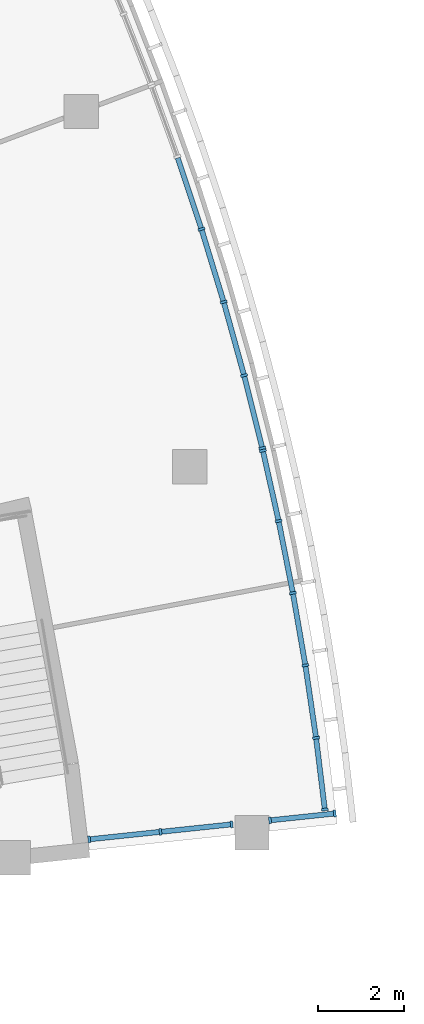
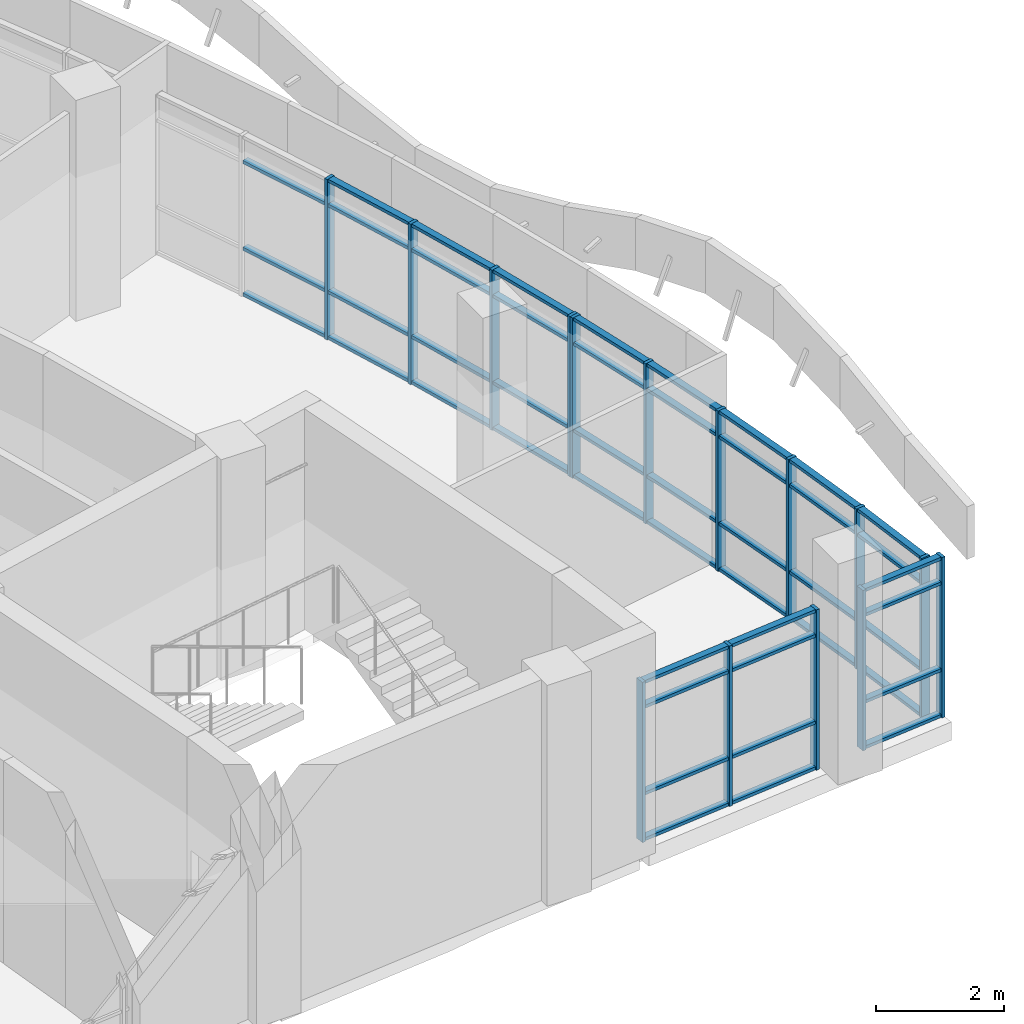
# One storey, part 27 of 109: 62 members, 4 elements without a shape of their own.
"""IFC4 building model written with IfcOpenShell, lengths in metres."""

import ifcopenshell
import ifcopenshell.guid

model = None  # the IFC model being written
_history = None  # IfcOwnerHistory: only IFC2X3 demands one
_inside = {}  # id of a spatial element -> (the spatial element, [elements in it])
_under = {}  # id of a project, library or spatial element -> (it, [spatial elements below it])
_declared = {}  # id of a project -> (the project, [libraries it declares])
_typed = {}  # id of a type object -> (the type object, [elements of that type])
_made_of = {}  # id of a material, layer set ... -> (it, [elements and type objects made of it])


def new_model(schema):
    """Start an empty IFC model of exactly this schema.

    Asked for "IFC4X3", IfcOpenShell would pick the latest addendum, in which some entities
    have other attributes; the version numbers below select the first issue.
    IFC2X3 requires an IfcOwnerHistory on every rooted entity: one is made here for all.
    """
    global model, _history
    if schema == "IFC4X3":
        model = ifcopenshell.file(schema_version=(4, 3, 0, 0))
    else:
        model = ifcopenshell.file(schema=schema)
    _inside.clear()
    _under.clear()
    _declared.clear()
    _typed.clear()
    _made_of.clear()
    _history = None
    if model.schema == "IFC2X3":
        org = make("IfcOrganization", Name="unknown")
        user = make(
            "IfcPersonAndOrganization",
            ThePerson=make("IfcPerson", FamilyName="unknown"),
            TheOrganization=org,
        )
        app = make(
            "IfcApplication",
            ApplicationDeveloper=org,
            Version="unknown",
            ApplicationFullName="unknown",
            ApplicationIdentifier="unknown",
        )
        _history = make(
            "IfcOwnerHistory",
            OwningUser=user,
            OwningApplication=app,
            ChangeAction="ADDED",
            CreationDate=0,
        )
    return model


def make(cls, **values):
    """One entity of the class cls with the attributes given. An attribute that is None is left unset."""
    return model.create_entity(
        cls, **{name: value for name, value in values.items() if value is not None}
    )


def rooted(cls, **values):
    """An entity with a GlobalId (a new one), such as an element, a storey or a relation."""
    return make(cls, GlobalId=ifcopenshell.guid.new(), OwnerHistory=_history, **values)


def si_unit(unit_type, name, prefix=None):
    """IfcSIUnit, for example si_unit("LENGTHUNIT", "METRE", prefix="MILLI")."""
    return make("IfcSIUnit", UnitType=unit_type, Prefix=prefix, Name=name)


def assignment(units):
    """IfcUnitAssignment: the units of a project."""
    return None if units is None else make("IfcUnitAssignment", Units=units)


def point(xyz):
    """IfcCartesianPoint."""
    return None if xyz is None else make("IfcCartesianPoint", Coordinates=xyz)


def direction(xyz):
    """IfcDirection."""
    return None if xyz is None else make("IfcDirection", DirectionRatios=xyz)


def frame(location, z_axis=None, x_axis=None):
    """IfcAxis2Placement3D, a coordinate frame: its origin and axes. An axis left out is left unset."""
    return make(
        "IfcAxis2Placement3D",
        Location=point(location),
        Axis=direction(z_axis),
        RefDirection=direction(x_axis),
    )


def frame_2d(location, x_axis=None):
    """IfcAxis2Placement2D, a coordinate frame in the plane: its origin and x axis."""
    return make(
        "IfcAxis2Placement2D", Location=point(location), RefDirection=direction(x_axis)
    )


def origin():
    """The frame at (0, 0, 0) with its axes left unset."""
    return frame((0.0, 0.0, 0.0))


def origin_2d():
    """The frame at (0, 0) in the plane with its x axis left unset."""
    return frame_2d((0.0, 0.0))


def place(relative_to, where):
    """IfcLocalPlacement: puts the frame where relative to a parent placement (None: the world)."""
    return make(
        "IfcLocalPlacement", PlacementRelTo=relative_to, RelativePlacement=where
    )


def context(
    kind, dimensions, precision=None, world=None, true_north=None, identifier=None
):
    """IfcGeometricRepresentationContext, for example the 3D "Model" context."""
    return make(
        "IfcGeometricRepresentationContext",
        ContextIdentifier=identifier,
        ContextType=kind,
        CoordinateSpaceDimension=dimensions,
        Precision=precision,
        WorldCoordinateSystem=world,
        TrueNorth=true_north,
    )


def subcontext(parent, identifier, kind, view, scale=None):
    """IfcGeometricRepresentationSubContext, for example "Body" below "Model"."""
    return make(
        "IfcGeometricRepresentationSubContext",
        ContextIdentifier=identifier,
        ContextType=kind,
        ParentContext=parent,
        TargetScale=scale,
        TargetView=view,
    )


def project(units=None, contexts=None):
    """IfcProject with its units and contexts."""
    return rooted(
        "IfcProject",
        Name="project",
        RepresentationContexts=contexts,
        UnitsInContext=assignment(units),
    )


def spatial(cls, under=None, at=None, **own):
    """A site, building, storey or space (cls), placed at a placement, below another one or the project."""
    s = rooted(cls, ObjectPlacement=at, **own)
    if under is not None:
        _under.setdefault(under.id(), (under, []))[1].append(s)
    return s


def profile(cls, at=None, kind="AREA", **sizes):
    """A parametric profile (cls). Its sizes go by their IFC names, for example OverallWidth=200.0."""
    return make(cls, ProfileType=kind, Position=at, **sizes)


def rectangle(**sizes):
    """IfcRectangleProfileDef."""
    return profile("IfcRectangleProfileDef", **sizes)


def extrude(swept, where, along, depth):
    """IfcExtrudedAreaSolid: the profile swept, set in the frame where, extruded along a direction by depth."""
    return make(
        "IfcExtrudedAreaSolid",
        SweptArea=swept,
        Position=where,
        ExtrudedDirection=direction(along),
        Depth=depth,
    )


def shape(context_of_items, identifier, shape_type, items):
    """IfcShapeRepresentation: the items that make up one representation, for example the "Body"."""
    return make(
        "IfcShapeRepresentation",
        ContextOfItems=context_of_items,
        RepresentationIdentifier=identifier,
        RepresentationType=shape_type,
        Items=items,
    )


def material(Name=None, Category=None):
    """IfcMaterial."""
    return make("IfcMaterial", Name=Name, Category=Category)


def material_profile(
    of_material, cross_section, Name=None, Category=None, Priority=None
):
    """IfcMaterialProfile: a cross section and its material."""
    return make(
        "IfcMaterialProfile",
        Name=Name,
        Material=of_material,
        Profile=cross_section,
        Priority=Priority,
        Category=Category,
    )


def profile_set(profiles, Name=None, composite=None):
    """IfcMaterialProfileSet."""
    return make(
        "IfcMaterialProfileSet",
        Name=Name,
        MaterialProfiles=profiles,
        CompositeProfile=composite,
    )


def made_of(thing, what):
    """Note that an element or type object is made of a material, layer set ...; save() writes the relation."""
    if what is not None:
        _made_of.setdefault(what.id(), (what, []))[1].append(thing)
    return thing


def type_object(cls, material=None, **own):
    """A type object (cls), such as IfcWallType, which elements share."""
    return made_of(rooted(cls, **own), material)


def element(
    cls,
    number,
    at=None,
    inside=None,
    cuts=None,
    type_object=None,
    material=None,
    context=None,
    identifier="Body",
    shape_type=None,
    held_by="IfcProductDefinitionShape",
    body=None,
    shapes=None,
    **own,
):
    """One element of the class cls, such as IfcWall. Its Tag is "e" and its number.

    at: its placement. inside: the storey or other place that contains it. cuts: it is an
    opening in that element (IfcRelVoidsElement). A single representation is given by context,
    identifier, shape_type and body (its items); several are given by shapes. held_by: the class
    of the entity that holds the representations. save() writes the other relations.
    """
    e = rooted(cls, Tag="e%d" % number, ObjectPlacement=at, **own)
    if body is not None:
        shapes = [shape(context, identifier, shape_type, body)]
    if shapes is not None:
        e.Representation = make(held_by, Representations=shapes)
    if inside is not None:
        _inside.setdefault(inside.id(), (inside, []))[1].append(e)
    if cuts is not None:
        rooted(
            "IfcRelVoidsElement", RelatingBuildingElement=cuts, RelatedOpeningElement=e
        )
    if type_object is not None:
        _typed.setdefault(type_object.id(), (type_object, []))[1].append(e)
    return made_of(e, material)


def aggregate(whole, parts):
    """IfcRelAggregates: a whole, such as a stair, and the parts it consists of."""
    return rooted("IfcRelAggregates", RelatingObject=whole, RelatedObjects=parts)


def save(model, path):
    """Write the relations noted so far, then the file.

    IfcRelAggregates (storeys below a building ...), IfcRelContainedInSpatialStructure (elements
    in a storey), IfcRelDefinesByType, IfcRelAssociatesMaterial and IfcRelDeclares: one each for
    every whole, place, type object, material and project.
    """
    for whole, parts in _under.values():
        aggregate(whole, parts)
    for where, things in _inside.values():
        rooted(
            "IfcRelContainedInSpatialStructure",
            RelatedElements=things,
            RelatingStructure=where,
        )
    for kind, things in _typed.values():
        rooted("IfcRelDefinesByType", RelatedObjects=things, RelatingType=kind)
    for what, things in _made_of.values():
        rooted("IfcRelAssociatesMaterial", RelatedObjects=things, RelatingMaterial=what)
    for by, libraries in _declared.values():
        rooted("IfcRelDeclares", RelatingContext=by, RelatedDefinitions=libraries)
    model.write(path)


model = new_model("IFC4")

# Units and contexts
model_context = context("Model", 3, precision=1e-05, world=origin(), true_north=direction((0.0, 1.0)))
body_context = subcontext(model_context, "Body", "Model", "MODEL_VIEW")
ifc_project = project(units=[si_unit("LENGTHUNIT", "METRE"), si_unit("AREAUNIT", "SQUARE_METRE"), si_unit("VOLUMEUNIT", "CUBIC_METRE"), si_unit("PLANEANGLEUNIT", "RADIAN"), si_unit("MASSUNIT", "GRAM", prefix="KILO")], contexts=[model_context])

# Site, building, storey
site_placement = place(None, origin())
site = spatial("IfcSite", under=ifc_project, at=site_placement, CompositionType="ELEMENT")
building_placement = place(site_placement, origin())
building = spatial("IfcBuilding", under=site, at=building_placement, Name="Bougainvillea Quay General Hospital", CompositionType="ELEMENT")
storey_placement = place(building_placement, frame((0.0, 0.0, 12.60009765625)))
storey = spatial("IfcBuildingStorey", under=building, at=storey_placement, Name="L02", CompositionType="ELEMENT", Elevation=12.60009765625)

# Curtain wall, members
ifc_material_1 = material(Name="Aluminium curtain wall system, powder-coated glazed", Category="aluminium")
curtain_wall_type_1 = type_object("IfcCurtainWallType", Name="Unitised curtain wall CW-1703", PredefinedType="NOTDEFINED", material=ifc_material_1)
curtain_wall_1_placement = place(storey_placement, origin())
curtain_wall_1 = element("IfcCurtainWall", 1, at=curtain_wall_1_placement, inside=storey, type_object=curtain_wall_type_1, Name="CW-AE 04", PredefinedType="NOTDEFINED")
ifc_material_2 = material(Name="Aluminium mullion, powder-coated charcoal", Category="aluminium")
ifc_material_profile_1 = material_profile(ifc_material_2, rectangle(XDim=0.159912109375, YDim=0.06005859375, at=origin_2d()))
ifc_profile_set_1 = profile_set([ifc_material_profile_1], Name="Aluminium mullion, powder-coated charcoal")
member_type_1 = type_object("IfcMemberType", Name="Curtain wall mullion 160x60", PredefinedType="MULLION", material=ifc_profile_set_1)
member_1_placement = place(storey_placement, frame((173.027099609375, 28.9599609375, 0.0), z_axis=(0.0, 0.0, 1.0), x_axis=(-0.104527173765, 0.9945220309, 0.0)))
member_1 = element("IfcMember", 2, at=member_1_placement, type_object=member_type_1, Name="CW-AE mullion 1", PredefinedType="MULLION", context=body_context, shape_type="SweptSolid", body=[
    extrude(rectangle(XDim=0.159912109375, YDim=0.06005859375, at=origin_2d()), origin(), (0.0, 0.0, 1.0), 3.0498046875),
])
member_2_placement = place(storey_placement, frame((174.6904296875, 29.134765625, 0.0), z_axis=(0.0, 0.0, 1.0), x_axis=(-0.104527173765, 0.9945220309, 0.0)))
member_2 = element("IfcMember", 3, at=member_2_placement, type_object=member_type_1, Name="CW-AE mullion 2", PredefinedType="MULLION", context=body_context, shape_type="SweptSolid", body=[
    extrude(rectangle(XDim=0.159912109375, YDim=0.06005859375, at=origin_2d()), origin(), (0.0, 0.0, 1.0), 3.0498046875),
])
member_3_placement = place(storey_placement, frame((176.353759765625, 29.3095703125, 0.0), z_axis=(0.0, 0.0, 1.0), x_axis=(-0.104527173765, 0.9945220309, 0.0)))
member_3 = element("IfcMember", 4, at=member_3_placement, type_object=member_type_1, Name="CW-AE mullion 3", PredefinedType="MULLION", context=body_context, shape_type="SweptSolid", body=[
    extrude(rectangle(XDim=0.159912109375, YDim=0.06005859375, at=origin_2d()), origin(), (0.0, 0.0, 1.0), 3.0498046875),
])

curtain_wall_type_2 = type_object("IfcCurtainWallType", Name="Unitised curtain wall CW-1581", PredefinedType="NOTDEFINED", material=ifc_material_1)
curtain_wall_2_placement = place(storey_placement, origin())
curtain_wall_2 = element("IfcCurtainWall", 5, at=curtain_wall_2_placement, inside=storey, type_object=curtain_wall_type_2, Name="CW-AE 05", PredefinedType="NOTDEFINED")
member_4_placement = place(storey_placement, frame((177.2490234375, 29.403564453125, 0.0), z_axis=(0.0, 0.0, 1.0), x_axis=(-0.104527173765, 0.9945220309, 0.0)))
member_4 = element("IfcMember", 6, at=member_4_placement, type_object=member_type_1, Name="CW-AE mullion 1", PredefinedType="MULLION", context=body_context, shape_type="SweptSolid", body=[
    extrude(rectangle(XDim=0.159912109375, YDim=0.06005859375, at=origin_2d()), origin(), (0.0, 0.0, 1.0), 3.0498046875),
])
member_5_placement = place(storey_placement, frame((178.760986328125, 29.5625, 0.0), z_axis=(0.0, 0.0, 1.0), x_axis=(-0.104527173765, 0.9945220309, 0.0)))
member_5 = element("IfcMember", 7, at=member_5_placement, type_object=member_type_1, Name="CW-AE mullion 2", PredefinedType="MULLION", context=body_context, shape_type="SweptSolid", body=[
    extrude(rectangle(XDim=0.159912109375, YDim=0.06005859375, at=origin_2d()), origin(), (0.0, 0.0, 1.0), 3.0498046875),
])

curtain_wall_type_3 = type_object("IfcCurtainWallType", Name="Unitised curtain wall CW-2100", PredefinedType="NOTDEFINED", material=ifc_material_1)
curtain_wall_3_placement = place(storey_placement, origin())
curtain_wall_3 = element("IfcCurtainWall", 8, at=curtain_wall_3_placement, inside=storey, type_object=curtain_wall_type_3, Name="CW-E07 a23b6", PredefinedType="NOTDEFINED")
member_6_placement = place(storey_placement, frame((175.6474609375, 43.210205078125, 0.0), z_axis=(0.0, 0.0, 1.0), x_axis=(0.952644499358, 0.304086267106, 0.0)))
member_6 = element("IfcMember", 9, at=member_6_placement, type_object=member_type_1, Name="CW-E07 mullion 3", PredefinedType="MULLION", context=body_context, shape_type="SweptSolid", body=[
    extrude(rectangle(XDim=0.159912109375, YDim=0.06005859375, at=origin_2d()), origin(), (0.0, 0.0, 1.0), 3.0498046875),
])
member_7_placement = place(storey_placement, frame((176.1669921875, 41.507568359375, 0.0), z_axis=(0.0, 0.0, 1.0), x_axis=(0.960094774236, 0.27967485494, 0.0)))
member_7 = element("IfcMember", 10, at=member_7_placement, type_object=member_type_1, Name="CW-E07 mullion 4", PredefinedType="MULLION", context=body_context, shape_type="SweptSolid", body=[
    extrude(rectangle(XDim=0.159912109375, YDim=0.06005859375, at=origin_2d()), origin(), (0.0, 0.0, 1.0), 3.0498046875),
])
member_8_placement = place(storey_placement, frame((176.64306640625, 39.7919921875, 0.0), z_axis=(0.0, 0.0, 1.0), x_axis=(0.966919620681, 0.255081255962, 0.0)))
member_8 = element("IfcMember", 11, at=member_8_placement, type_object=member_type_1, Name="CW-E07 mullion 5", PredefinedType="MULLION", context=body_context, shape_type="SweptSolid", body=[
    extrude(rectangle(XDim=0.159912109375, YDim=0.06005859375, at=origin_2d()), origin(), (0.0, 0.0, 1.0), 3.0498046875),
])
member_9_placement = place(storey_placement, frame((177.06787109375, 38.09423828125, 0.0), z_axis=(0.0, 0.0, 1.0), x_axis=(0.970096102912, 0.242721138583, 0.0)))
member_9 = element("IfcMember", 12, at=member_9_placement, type_object=member_type_1, Name="CW-E07 mullion 6", PredefinedType="MULLION", context=body_context, shape_type="SweptSolid", body=[
    extrude(rectangle(XDim=0.159912109375, YDim=0.06005859375, at=origin_2d()), origin(), (0.0, 0.0, 1.0), 3.0498046875),
])

curtain_wall_4_placement = place(storey_placement, origin())
curtain_wall_4 = element("IfcCurtainWall", 13, at=curtain_wall_4_placement, inside=storey, type_object=curtain_wall_type_3, Name="CW-E08 a23b7", PredefinedType="NOTDEFINED")
member_10_placement = place(storey_placement, frame((177.081787109375, 38.03564453125, 0.0), z_axis=(0.0, 0.0, 1.0), x_axis=(0.97587019217, 0.218351478204, 0.0)))
member_10 = element("IfcMember", 14, at=member_10_placement, type_object=member_type_1, Name="CW-E08 mullion 1", PredefinedType="MULLION", context=body_context, shape_type="SweptSolid", body=[
    extrude(rectangle(XDim=0.159912109375, YDim=0.06005859375, at=origin_2d()), origin(), (0.0, 0.0, 1.0), 3.0498046875),
])
member_11_placement = place(storey_placement, frame((177.44921875, 36.392822265625, 0.0), z_axis=(0.0, 0.0, 1.0), x_axis=(0.978478557556, 0.206348521691, 0.0)))
member_11 = element("IfcMember", 15, at=member_11_placement, type_object=member_type_1, Name="CW-E08 mullion 2", PredefinedType="MULLION", context=body_context, shape_type="SweptSolid", body=[
    extrude(rectangle(XDim=0.159912109375, YDim=0.06005859375, at=origin_2d()), origin(), (0.0, 0.0, 1.0), 3.0498046875),
])
member_12_placement = place(storey_placement, frame((177.7822265625, 34.712158203125, 0.0), z_axis=(0.0, 0.0, 1.0), x_axis=(0.983252034569, 0.182251026106, 0.0)))
member_12 = element("IfcMember", 16, at=member_12_placement, type_object=member_type_1, Name="CW-E08 mullion 3", PredefinedType="MULLION", context=body_context, shape_type="SweptSolid", body=[
    extrude(rectangle(XDim=0.159912109375, YDim=0.06005859375, at=origin_2d()), origin(), (0.0, 0.0, 1.0), 3.0498046875),
])
member_13_placement = place(storey_placement, frame((178.07373046875, 33.023681640625, 0.0), z_axis=(0.0, 0.0, 1.0), x_axis=(0.98743214319, 0.158043546515, 0.0)))
member_13 = element("IfcMember", 17, at=member_13_placement, type_object=member_type_1, Name="CW-E08 mullion 4", PredefinedType="MULLION", context=body_context, shape_type="SweptSolid", body=[
    extrude(rectangle(XDim=0.159912109375, YDim=0.06005859375, at=origin_2d()), origin(), (0.0, 0.0, 1.0), 3.0498046875),
])
member_14_placement = place(storey_placement, frame((178.323974609375, 31.328369140625, 0.0), z_axis=(0.0, 0.0, 1.0), x_axis=(0.991016360827, 0.133740691535, 0.0)))
member_14 = element("IfcMember", 18, at=member_14_placement, type_object=member_type_1, Name="CW-E08 mullion 5", PredefinedType="MULLION", context=body_context, shape_type="SweptSolid", body=[
    extrude(rectangle(XDim=0.159912109375, YDim=0.06005859375, at=origin_2d()), origin(), (0.0, 0.0, 1.0), 3.0498046875),
])
member_15_placement = place(storey_placement, frame((178.528564453125, 29.657470703125, 0.0), z_axis=(0.0, 0.0, 1.0), x_axis=(0.992584320508, 0.121558079457, 0.0)))
member_15 = element("IfcMember", 19, at=member_15_placement, type_object=member_type_1, Name="CW-E08 mullion 6", PredefinedType="MULLION", context=body_context, shape_type="SweptSolid", body=[
    extrude(rectangle(XDim=0.159912109375, YDim=0.06005859375, at=origin_2d()), origin(), (0.0, 0.0, 1.0), 3.0498046875),
])

# Member
ifc_material_3 = material(Name="Aluminium transom, powder-coated charcoal", Category="aluminium")
ifc_material_profile_2 = material_profile(ifc_material_3, rectangle(XDim=0.1201171875, YDim=0.06005859375, at=origin_2d()))
ifc_profile_set_2 = profile_set([ifc_material_profile_2], Name="Aluminium transom, powder-coated charcoal")
member_type_2 = type_object("IfcMemberType", Name="Curtain wall transom 120x60", PredefinedType="USERDEFINED", material=ifc_profile_set_2)
member_16_placement = place(storey_placement, frame((173.05712890625, 28.962890625, 0.02978515625), z_axis=(0.994511259192, 0.104629610247, 0.0), x_axis=(-0.104629610247, 0.994511259192, 0.0)))
member_16 = element("IfcMember", 20, at=member_16_placement, type_object=member_type_2, Name="CW-AE transom 1.1", ObjectType="TRANSOM", PredefinedType="USERDEFINED", context=body_context, shape_type="SweptSolid", body=[
    extrude(rectangle(XDim=0.1201171875, YDim=0.06005859375, at=origin_2d()), origin(), (0.0, 0.0, 1.0), 1.6123046875),
])

member_17_placement = place(storey_placement, frame((173.05712890625, 28.962890625, 0.89990234375), z_axis=(0.994511259192, 0.104629610247, 0.0), x_axis=(-0.104629610247, 0.994511259192, 0.0)))
member_17 = element("IfcMember", 21, at=member_17_placement, type_object=member_type_2, Name="CW-AE transom 1.2", ObjectType="TRANSOM", PredefinedType="USERDEFINED", context=body_context, shape_type="SweptSolid", body=[
    extrude(rectangle(XDim=0.1201171875, YDim=0.06005859375, at=origin_2d()), origin(), (0.0, 0.0, 1.0), 1.6123046875),
])

member_18_placement = place(storey_placement, frame((173.05712890625, 28.962890625, 2.5498046875), z_axis=(0.994511259192, 0.104629610247, 0.0), x_axis=(-0.104629610247, 0.994511259192, 0.0)))
member_18 = element("IfcMember", 22, at=member_18_placement, type_object=member_type_2, Name="CW-AE transom 1.3", ObjectType="TRANSOM", PredefinedType="USERDEFINED", context=body_context, shape_type="SweptSolid", body=[
    extrude(rectangle(XDim=0.1201171875, YDim=0.06005859375, at=origin_2d()), origin(), (0.0, 0.0, 1.0), 1.6123046875),
])

member_19_placement = place(storey_placement, frame((173.05712890625, 28.962890625, 3.02001953125), z_axis=(0.994511259192, 0.104629610247, 0.0), x_axis=(-0.104629610247, 0.994511259192, 0.0)))
member_19 = element("IfcMember", 23, at=member_19_placement, type_object=member_type_2, Name="CW-AE transom 1.4", ObjectType="TRANSOM", PredefinedType="USERDEFINED", context=body_context, shape_type="SweptSolid", body=[
    extrude(rectangle(XDim=0.1201171875, YDim=0.06005859375, at=origin_2d()), origin(), (0.0, 0.0, 1.0), 1.6123046875),
])

member_20_placement = place(storey_placement, frame((174.720458984375, 29.1376953125, 0.02978515625), z_axis=(0.994511259192, 0.104629610247, 0.0), x_axis=(-0.104629610247, 0.994511259192, 0.0)))
member_20 = element("IfcMember", 24, at=member_20_placement, type_object=member_type_2, Name="CW-AE transom 2.1", ObjectType="TRANSOM", PredefinedType="USERDEFINED", context=body_context, shape_type="SweptSolid", body=[
    extrude(rectangle(XDim=0.1201171875, YDim=0.06005859375, at=origin_2d()), origin(), (0.0, 0.0, 1.0), 1.6123046875),
])

member_21_placement = place(storey_placement, frame((174.720458984375, 29.1376953125, 0.89990234375), z_axis=(0.994511259192, 0.104629610247, 0.0), x_axis=(-0.104629610247, 0.994511259192, 0.0)))
member_21 = element("IfcMember", 25, at=member_21_placement, type_object=member_type_2, Name="CW-AE transom 2.2", ObjectType="TRANSOM", PredefinedType="USERDEFINED", context=body_context, shape_type="SweptSolid", body=[
    extrude(rectangle(XDim=0.1201171875, YDim=0.06005859375, at=origin_2d()), origin(), (0.0, 0.0, 1.0), 1.6123046875),
])

member_22_placement = place(storey_placement, frame((174.720458984375, 29.1376953125, 2.5498046875), z_axis=(0.994511259192, 0.104629610247, 0.0), x_axis=(-0.104629610247, 0.994511259192, 0.0)))
member_22 = element("IfcMember", 26, at=member_22_placement, type_object=member_type_2, Name="CW-AE transom 2.3", ObjectType="TRANSOM", PredefinedType="USERDEFINED", context=body_context, shape_type="SweptSolid", body=[
    extrude(rectangle(XDim=0.1201171875, YDim=0.06005859375, at=origin_2d()), origin(), (0.0, 0.0, 1.0), 1.6123046875),
])

member_23_placement = place(storey_placement, frame((174.720458984375, 29.1376953125, 3.02001953125), z_axis=(0.994511259192, 0.104629610247, 0.0), x_axis=(-0.104629610247, 0.994511259192, 0.0)))
member_23 = element("IfcMember", 27, at=member_23_placement, type_object=member_type_2, Name="CW-AE transom 2.4", ObjectType="TRANSOM", PredefinedType="USERDEFINED", context=body_context, shape_type="SweptSolid", body=[
    extrude(rectangle(XDim=0.1201171875, YDim=0.06005859375, at=origin_2d()), origin(), (0.0, 0.0, 1.0), 1.6123046875),
])

aggregate(curtain_wall_1, [member_1, member_2, member_3, member_16, member_17, member_18, member_19, member_20, member_21, member_22, member_23])

member_24_placement = place(storey_placement, frame((177.27880859375, 29.40673828125, 0.02978515625), z_axis=(0.994526501462, 0.104484629923, 0.0), x_axis=(-0.104484629923, 0.994526501462, 0.0)))
member_24 = element("IfcMember", 28, at=member_24_placement, type_object=member_type_2, Name="CW-AE transom 1.1", ObjectType="TRANSOM", PredefinedType="USERDEFINED", context=body_context, shape_type="SweptSolid", body=[
    extrude(rectangle(XDim=0.1201171875, YDim=0.06005859375, at=origin_2d()), origin(), (0.0, 0.0, 1.0), 1.46044921875),
])

member_25_placement = place(storey_placement, frame((177.27880859375, 29.40673828125, 0.89990234375), z_axis=(0.994526501462, 0.104484629923, 0.0), x_axis=(-0.104484629923, 0.994526501462, 0.0)))
member_25 = element("IfcMember", 29, at=member_25_placement, type_object=member_type_2, Name="CW-AE transom 1.2", ObjectType="TRANSOM", PredefinedType="USERDEFINED", context=body_context, shape_type="SweptSolid", body=[
    extrude(rectangle(XDim=0.1201171875, YDim=0.06005859375, at=origin_2d()), origin(), (0.0, 0.0, 1.0), 1.46044921875),
])

member_26_placement = place(storey_placement, frame((177.27880859375, 29.40673828125, 2.5498046875), z_axis=(0.994526501462, 0.104484629923, 0.0), x_axis=(-0.104484629923, 0.994526501462, 0.0)))
member_26 = element("IfcMember", 30, at=member_26_placement, type_object=member_type_2, Name="CW-AE transom 1.3", ObjectType="TRANSOM", PredefinedType="USERDEFINED", context=body_context, shape_type="SweptSolid", body=[
    extrude(rectangle(XDim=0.1201171875, YDim=0.06005859375, at=origin_2d()), origin(), (0.0, 0.0, 1.0), 1.46044921875),
])

member_27_placement = place(storey_placement, frame((177.27880859375, 29.40673828125, 3.02001953125), z_axis=(0.994526501462, 0.104484629923, 0.0), x_axis=(-0.104484629923, 0.994526501462, 0.0)))
member_27 = element("IfcMember", 31, at=member_27_placement, type_object=member_type_2, Name="CW-AE transom 1.4", ObjectType="TRANSOM", PredefinedType="USERDEFINED", context=body_context, shape_type="SweptSolid", body=[
    extrude(rectangle(XDim=0.1201171875, YDim=0.06005859375, at=origin_2d()), origin(), (0.0, 0.0, 1.0), 1.46044921875),
])

aggregate(curtain_wall_2, [member_4, member_5, member_24, member_25, member_26, member_27])

member_28_placement = place(storey_placement, frame((175.093994140625, 44.87060546875, 0.02978515625), z_axis=(0.316185191391, -0.948697488531, 0.0), x_axis=(0.948697488531, 0.316185191391, 0.0)))
member_28 = element("IfcMember", 32, at=member_28_placement, type_object=member_type_2, Name="CW-E07 transom 2.1", ObjectType="TRANSOM", PredefinedType="USERDEFINED", context=body_context, shape_type="SweptSolid", body=[
    extrude(rectangle(XDim=0.1201171875, YDim=0.06005859375, at=origin_2d()), origin(), (0.0, 0.0, 1.0), 1.720458984375),
])

member_29_placement = place(storey_placement, frame((175.093994140625, 44.87060546875, 0.89990234375), z_axis=(0.316185191391, -0.948697488531, 0.0), x_axis=(0.948697488531, 0.316185191391, 0.0)))
member_29 = element("IfcMember", 33, at=member_29_placement, type_object=member_type_2, Name="CW-E07 transom 2.2", ObjectType="TRANSOM", PredefinedType="USERDEFINED", context=body_context, shape_type="SweptSolid", body=[
    extrude(rectangle(XDim=0.1201171875, YDim=0.06005859375, at=origin_2d()), origin(), (0.0, 0.0, 1.0), 1.720458984375),
])

member_30_placement = place(storey_placement, frame((175.093994140625, 44.87060546875, 2.5498046875), z_axis=(0.316185191391, -0.948697488531, 0.0), x_axis=(0.948697488531, 0.316185191391, 0.0)))
member_30 = element("IfcMember", 34, at=member_30_placement, type_object=member_type_2, Name="CW-E07 transom 2.3", ObjectType="TRANSOM", PredefinedType="USERDEFINED", context=body_context, shape_type="SweptSolid", body=[
    extrude(rectangle(XDim=0.1201171875, YDim=0.06005859375, at=origin_2d()), origin(), (0.0, 0.0, 1.0), 1.720458984375),
])

member_31_placement = place(storey_placement, frame((175.65625, 43.181396484375, 0.02978515625), z_axis=(0.29181104464, -0.956475987271, 0.0), x_axis=(0.956475987271, 0.29181104464, 0.0)))
member_31 = element("IfcMember", 35, at=member_31_placement, type_object=member_type_2, Name="CW-E07 transom 3.1", ObjectType="TRANSOM", PredefinedType="USERDEFINED", context=body_context, shape_type="SweptSolid", body=[
    extrude(rectangle(XDim=0.1201171875, YDim=0.06005859375, at=origin_2d()), origin(), (0.0, 0.0, 1.0), 1.72021484375),
])

member_32_placement = place(storey_placement, frame((175.65625, 43.181396484375, 0.89990234375), z_axis=(0.29181104464, -0.956475987271, 0.0), x_axis=(0.956475987271, 0.29181104464, 0.0)))
member_32 = element("IfcMember", 36, at=member_32_placement, type_object=member_type_2, Name="CW-E07 transom 3.2", ObjectType="TRANSOM", PredefinedType="USERDEFINED", context=body_context, shape_type="SweptSolid", body=[
    extrude(rectangle(XDim=0.1201171875, YDim=0.06005859375, at=origin_2d()), origin(), (0.0, 0.0, 1.0), 1.72021484375),
])

member_33_placement = place(storey_placement, frame((175.65625, 43.181396484375, 2.5498046875), z_axis=(0.29181104464, -0.956475987271, 0.0), x_axis=(0.956475987271, 0.29181104464, 0.0)))
member_33 = element("IfcMember", 37, at=member_33_placement, type_object=member_type_2, Name="CW-E07 transom 3.3", ObjectType="TRANSOM", PredefinedType="USERDEFINED", context=body_context, shape_type="SweptSolid", body=[
    extrude(rectangle(XDim=0.1201171875, YDim=0.06005859375, at=origin_2d()), origin(), (0.0, 0.0, 1.0), 1.72021484375),
])

member_34_placement = place(storey_placement, frame((175.65625, 43.181396484375, 3.02001953125), z_axis=(0.29181104464, -0.956475987271, 0.0), x_axis=(0.956475987271, 0.29181104464, 0.0)))
member_34 = element("IfcMember", 38, at=member_34_placement, type_object=member_type_2, Name="CW-E07 transom 3.4", ObjectType="TRANSOM", PredefinedType="USERDEFINED", context=body_context, shape_type="SweptSolid", body=[
    extrude(rectangle(XDim=0.1201171875, YDim=0.06005859375, at=origin_2d()), origin(), (0.0, 0.0, 1.0), 1.72021484375),
])

member_35_placement = place(storey_placement, frame((176.175048828125, 41.478515625, 0.02978515625), z_axis=(0.267402284132, -0.96358498247, 0.0), x_axis=(0.96358498247, 0.267402284132, 0.0)))
member_35 = element("IfcMember", 39, at=member_35_placement, type_object=member_type_2, Name="CW-E07 transom 4.1", ObjectType="TRANSOM", PredefinedType="USERDEFINED", context=body_context, shape_type="SweptSolid", body=[
    extrude(rectangle(XDim=0.1201171875, YDim=0.06005859375, at=origin_2d()), origin(), (0.0, 0.0, 1.0), 1.72021484375),
])

member_36_placement = place(storey_placement, frame((176.175048828125, 41.478515625, 0.89990234375), z_axis=(0.267402284132, -0.96358498247, 0.0), x_axis=(0.96358498247, 0.267402284132, 0.0)))
member_36 = element("IfcMember", 40, at=member_36_placement, type_object=member_type_2, Name="CW-E07 transom 4.2", ObjectType="TRANSOM", PredefinedType="USERDEFINED", context=body_context, shape_type="SweptSolid", body=[
    extrude(rectangle(XDim=0.1201171875, YDim=0.06005859375, at=origin_2d()), origin(), (0.0, 0.0, 1.0), 1.72021484375),
])

member_37_placement = place(storey_placement, frame((176.175048828125, 41.478515625, 2.5498046875), z_axis=(0.267402284132, -0.96358498247, 0.0), x_axis=(0.96358498247, 0.267402284132, 0.0)))
member_37 = element("IfcMember", 41, at=member_37_placement, type_object=member_type_2, Name="CW-E07 transom 4.3", ObjectType="TRANSOM", PredefinedType="USERDEFINED", context=body_context, shape_type="SweptSolid", body=[
    extrude(rectangle(XDim=0.1201171875, YDim=0.06005859375, at=origin_2d()), origin(), (0.0, 0.0, 1.0), 1.72021484375),
])

member_38_placement = place(storey_placement, frame((176.175048828125, 41.478515625, 3.02001953125), z_axis=(0.267402284132, -0.96358498247, 0.0), x_axis=(0.96358498247, 0.267402284132, 0.0)))
member_38 = element("IfcMember", 42, at=member_38_placement, type_object=member_type_2, Name="CW-E07 transom 4.4", ObjectType="TRANSOM", PredefinedType="USERDEFINED", context=body_context, shape_type="SweptSolid", body=[
    extrude(rectangle(XDim=0.1201171875, YDim=0.06005859375, at=origin_2d()), origin(), (0.0, 0.0, 1.0), 1.72021484375),
])

member_39_placement = place(storey_placement, frame((176.650390625, 39.762939453125, 0.02978515625), z_axis=(0.242671573116, -0.970108503004, 0.0), x_axis=(0.970108503004, 0.242671573116, 0.0)))
member_39 = element("IfcMember", 43, at=member_39_placement, type_object=member_type_2, Name="CW-E07 transom 5.1", ObjectType="TRANSOM", PredefinedType="USERDEFINED", context=body_context, shape_type="SweptSolid", body=[
    extrude(rectangle(XDim=0.1201171875, YDim=0.06005859375, at=origin_2d()), origin(), (0.0, 0.0, 1.0), 1.690185546875),
])

member_40_placement = place(storey_placement, frame((176.650390625, 39.762939453125, 0.89990234375), z_axis=(0.242671573116, -0.970108503004, 0.0), x_axis=(0.970108503004, 0.242671573116, 0.0)))
member_40 = element("IfcMember", 44, at=member_40_placement, type_object=member_type_2, Name="CW-E07 transom 5.2", ObjectType="TRANSOM", PredefinedType="USERDEFINED", context=body_context, shape_type="SweptSolid", body=[
    extrude(rectangle(XDim=0.1201171875, YDim=0.06005859375, at=origin_2d()), origin(), (0.0, 0.0, 1.0), 1.690185546875),
])

member_41_placement = place(storey_placement, frame((176.650390625, 39.762939453125, 2.5498046875), z_axis=(0.242671573116, -0.970108503004, 0.0), x_axis=(0.970108503004, 0.242671573116, 0.0)))
member_41 = element("IfcMember", 45, at=member_41_placement, type_object=member_type_2, Name="CW-E07 transom 5.3", ObjectType="TRANSOM", PredefinedType="USERDEFINED", context=body_context, shape_type="SweptSolid", body=[
    extrude(rectangle(XDim=0.1201171875, YDim=0.06005859375, at=origin_2d()), origin(), (0.0, 0.0, 1.0), 1.690185546875),
])

member_42_placement = place(storey_placement, frame((176.650390625, 39.762939453125, 3.02001953125), z_axis=(0.242671573116, -0.970108503004, 0.0), x_axis=(0.970108503004, 0.242671573116, 0.0)))
member_42 = element("IfcMember", 46, at=member_42_placement, type_object=member_type_2, Name="CW-E07 transom 5.4", ObjectType="TRANSOM", PredefinedType="USERDEFINED", context=body_context, shape_type="SweptSolid", body=[
    extrude(rectangle(XDim=0.1201171875, YDim=0.06005859375, at=origin_2d()), origin(), (0.0, 0.0, 1.0), 1.690185546875),
])

aggregate(curtain_wall_3, [member_6, member_7, member_8, member_9, member_28, member_29, member_30, member_31, member_32, member_33, member_34, member_35, member_36, member_37, member_38, member_39, member_40, member_41, member_42])

member_43_placement = place(storey_placement, frame((177.08837890625, 38.006591796875, 0.02978515625), z_axis=(0.218331290803, -0.975874708893, 0.0), x_axis=(0.975874708893, 0.218331290803, 0.0)))
member_43 = element("IfcMember", 47, at=member_43_placement, type_object=member_type_2, Name="CW-E08 transom 1.1", ObjectType="TRANSOM", PredefinedType="USERDEFINED", context=body_context, shape_type="SweptSolid", body=[
    extrude(rectangle(XDim=0.1201171875, YDim=0.06005859375, at=origin_2d()), origin(), (0.0, 0.0, 1.0), 1.62353515625),
])

member_44_placement = place(storey_placement, frame((177.08837890625, 38.006591796875, 0.89990234375), z_axis=(0.218331290803, -0.975874708893, 0.0), x_axis=(0.975874708893, 0.218331290803, 0.0)))
member_44 = element("IfcMember", 48, at=member_44_placement, type_object=member_type_2, Name="CW-E08 transom 1.2", ObjectType="TRANSOM", PredefinedType="USERDEFINED", context=body_context, shape_type="SweptSolid", body=[
    extrude(rectangle(XDim=0.1201171875, YDim=0.06005859375, at=origin_2d()), origin(), (0.0, 0.0, 1.0), 1.62353515625),
])

member_45_placement = place(storey_placement, frame((177.08837890625, 38.006591796875, 2.5498046875), z_axis=(0.218331290803, -0.975874708893, 0.0), x_axis=(0.975874708893, 0.218331290803, 0.0)))
member_45 = element("IfcMember", 49, at=member_45_placement, type_object=member_type_2, Name="CW-E08 transom 1.3", ObjectType="TRANSOM", PredefinedType="USERDEFINED", context=body_context, shape_type="SweptSolid", body=[
    extrude(rectangle(XDim=0.1201171875, YDim=0.06005859375, at=origin_2d()), origin(), (0.0, 0.0, 1.0), 1.62353515625),
])

member_46_placement = place(storey_placement, frame((177.08837890625, 38.006591796875, 3.02001953125), z_axis=(0.218331290803, -0.975874708893, 0.0), x_axis=(0.975874708893, 0.218331290803, 0.0)))
member_46 = element("IfcMember", 50, at=member_46_placement, type_object=member_type_2, Name="CW-E08 transom 1.4", ObjectType="TRANSOM", PredefinedType="USERDEFINED", context=body_context, shape_type="SweptSolid", body=[
    extrude(rectangle(XDim=0.1201171875, YDim=0.06005859375, at=origin_2d()), origin(), (0.0, 0.0, 1.0), 1.62353515625),
])

member_47_placement = place(storey_placement, frame((177.455078125, 36.363525390625, 0.02978515625), z_axis=(0.194298649464, -0.980942421764, 0.0), x_axis=(0.980942421764, 0.194298649464, 0.0)))
member_47 = element("IfcMember", 51, at=member_47_placement, type_object=member_type_2, Name="CW-E08 transom 2.1", ObjectType="TRANSOM", PredefinedType="USERDEFINED", context=body_context, shape_type="SweptSolid", body=[
    extrude(rectangle(XDim=0.1201171875, YDim=0.06005859375, at=origin_2d()), origin(), (0.0, 0.0, 1.0), 1.653564453125),
])

member_48_placement = place(storey_placement, frame((177.455078125, 36.363525390625, 0.89990234375), z_axis=(0.194298649464, -0.980942421764, 0.0), x_axis=(0.980942421764, 0.194298649464, 0.0)))
member_48 = element("IfcMember", 52, at=member_48_placement, type_object=member_type_2, Name="CW-E08 transom 2.2", ObjectType="TRANSOM", PredefinedType="USERDEFINED", context=body_context, shape_type="SweptSolid", body=[
    extrude(rectangle(XDim=0.1201171875, YDim=0.06005859375, at=origin_2d()), origin(), (0.0, 0.0, 1.0), 1.653564453125),
])

member_49_placement = place(storey_placement, frame((177.455078125, 36.363525390625, 2.5498046875), z_axis=(0.194298649464, -0.980942421764, 0.0), x_axis=(0.980942421764, 0.194298649464, 0.0)))
member_49 = element("IfcMember", 53, at=member_49_placement, type_object=member_type_2, Name="CW-E08 transom 2.3", ObjectType="TRANSOM", PredefinedType="USERDEFINED", context=body_context, shape_type="SweptSolid", body=[
    extrude(rectangle(XDim=0.1201171875, YDim=0.06005859375, at=origin_2d()), origin(), (0.0, 0.0, 1.0), 1.653564453125),
])

member_50_placement = place(storey_placement, frame((177.455078125, 36.363525390625, 3.02001953125), z_axis=(0.194298649464, -0.980942421764, 0.0), x_axis=(0.980942421764, 0.194298649464, 0.0)))
member_50 = element("IfcMember", 54, at=member_50_placement, type_object=member_type_2, Name="CW-E08 transom 2.4", ObjectType="TRANSOM", PredefinedType="USERDEFINED", context=body_context, shape_type="SweptSolid", body=[
    extrude(rectangle(XDim=0.1201171875, YDim=0.06005859375, at=origin_2d()), origin(), (0.0, 0.0, 1.0), 1.653564453125),
])

member_51_placement = place(storey_placement, frame((177.787353515625, 34.6826171875, 0.02978515625), z_axis=(0.170238177254, -0.985402944488, 0.0), x_axis=(0.985402944488, 0.170238177254, 0.0)))
member_51 = element("IfcMember", 55, at=member_51_placement, type_object=member_type_2, Name="CW-E08 transom 3.1", ObjectType="TRANSOM", PredefinedType="USERDEFINED", context=body_context, shape_type="SweptSolid", body=[
    extrude(rectangle(XDim=0.1201171875, YDim=0.06005859375, at=origin_2d()), origin(), (0.0, 0.0, 1.0), 1.653564453125),
])

member_52_placement = place(storey_placement, frame((177.787353515625, 34.6826171875, 0.89990234375), z_axis=(0.170238177254, -0.985402944488, 0.0), x_axis=(0.985402944488, 0.170238177254, 0.0)))
member_52 = element("IfcMember", 56, at=member_52_placement, type_object=member_type_2, Name="CW-E08 transom 3.2", ObjectType="TRANSOM", PredefinedType="USERDEFINED", context=body_context, shape_type="SweptSolid", body=[
    extrude(rectangle(XDim=0.1201171875, YDim=0.06005859375, at=origin_2d()), origin(), (0.0, 0.0, 1.0), 1.653564453125),
])

member_53_placement = place(storey_placement, frame((177.787353515625, 34.6826171875, 2.5498046875), z_axis=(0.170238177254, -0.985402944488, 0.0), x_axis=(0.985402944488, 0.170238177254, 0.0)))
member_53 = element("IfcMember", 57, at=member_53_placement, type_object=member_type_2, Name="CW-E08 transom 3.3", ObjectType="TRANSOM", PredefinedType="USERDEFINED", context=body_context, shape_type="SweptSolid", body=[
    extrude(rectangle(XDim=0.1201171875, YDim=0.06005859375, at=origin_2d()), origin(), (0.0, 0.0, 1.0), 1.653564453125),
])

member_54_placement = place(storey_placement, frame((177.787353515625, 34.6826171875, 3.02001953125), z_axis=(0.170238177254, -0.985402944488, 0.0), x_axis=(0.985402944488, 0.170238177254, 0.0)))
member_54 = element("IfcMember", 58, at=member_54_placement, type_object=member_type_2, Name="CW-E08 transom 3.4", ObjectType="TRANSOM", PredefinedType="USERDEFINED", context=body_context, shape_type="SweptSolid", body=[
    extrude(rectangle(XDim=0.1201171875, YDim=0.06005859375, at=origin_2d()), origin(), (0.0, 0.0, 1.0), 1.653564453125),
])

member_55_placement = place(storey_placement, frame((178.078125, 32.993896484375, 0.02978515625), z_axis=(0.146029573517, -0.989280225042, 0.0), x_axis=(0.989280225042, 0.146029573517, 0.0)))
member_55 = element("IfcMember", 59, at=member_55_placement, type_object=member_type_2, Name="CW-E08 transom 4.1", ObjectType="TRANSOM", PredefinedType="USERDEFINED", context=body_context, shape_type="SweptSolid", body=[
    extrude(rectangle(XDim=0.1201171875, YDim=0.06005859375, at=origin_2d()), origin(), (0.0, 0.0, 1.0), 1.653564453125),
])

member_56_placement = place(storey_placement, frame((178.078125, 32.993896484375, 0.89990234375), z_axis=(0.146029573517, -0.989280225042, 0.0), x_axis=(0.989280225042, 0.146029573517, 0.0)))
member_56 = element("IfcMember", 60, at=member_56_placement, type_object=member_type_2, Name="CW-E08 transom 4.2", ObjectType="TRANSOM", PredefinedType="USERDEFINED", context=body_context, shape_type="SweptSolid", body=[
    extrude(rectangle(XDim=0.1201171875, YDim=0.06005859375, at=origin_2d()), origin(), (0.0, 0.0, 1.0), 1.653564453125),
])

member_57_placement = place(storey_placement, frame((178.078125, 32.993896484375, 2.5498046875), z_axis=(0.146029573517, -0.989280225042, 0.0), x_axis=(0.989280225042, 0.146029573517, 0.0)))
member_57 = element("IfcMember", 61, at=member_57_placement, type_object=member_type_2, Name="CW-E08 transom 4.3", ObjectType="TRANSOM", PredefinedType="USERDEFINED", context=body_context, shape_type="SweptSolid", body=[
    extrude(rectangle(XDim=0.1201171875, YDim=0.06005859375, at=origin_2d()), origin(), (0.0, 0.0, 1.0), 1.653564453125),
])

member_58_placement = place(storey_placement, frame((178.078125, 32.993896484375, 3.02001953125), z_axis=(0.146029573517, -0.989280225042, 0.0), x_axis=(0.989280225042, 0.146029573517, 0.0)))
member_58 = element("IfcMember", 62, at=member_58_placement, type_object=member_type_2, Name="CW-E08 transom 4.4", ObjectType="TRANSOM", PredefinedType="USERDEFINED", context=body_context, shape_type="SweptSolid", body=[
    extrude(rectangle(XDim=0.1201171875, YDim=0.06005859375, at=origin_2d()), origin(), (0.0, 0.0, 1.0), 1.653564453125),
])

member_59_placement = place(storey_placement, frame((178.327392578125, 31.298583984375, 0.02978515625), z_axis=(0.121665166795, -0.99257120006, 0.0), x_axis=(0.99257120006, 0.121665166795, 0.0)))
member_59 = element("IfcMember", 63, at=member_59_placement, type_object=member_type_2, Name="CW-E08 transom 5.1", ObjectType="TRANSOM", PredefinedType="USERDEFINED", context=body_context, shape_type="SweptSolid", body=[
    extrude(rectangle(XDim=0.1201171875, YDim=0.06005859375, at=origin_2d()), origin(), (0.0, 0.0, 1.0), 1.623291015625),
])

member_60_placement = place(storey_placement, frame((178.327392578125, 31.298583984375, 0.89990234375), z_axis=(0.121665166795, -0.99257120006, 0.0), x_axis=(0.99257120006, 0.121665166795, 0.0)))
member_60 = element("IfcMember", 64, at=member_60_placement, type_object=member_type_2, Name="CW-E08 transom 5.2", ObjectType="TRANSOM", PredefinedType="USERDEFINED", context=body_context, shape_type="SweptSolid", body=[
    extrude(rectangle(XDim=0.1201171875, YDim=0.06005859375, at=origin_2d()), origin(), (0.0, 0.0, 1.0), 1.623291015625),
])

member_61_placement = place(storey_placement, frame((178.327392578125, 31.298583984375, 2.5498046875), z_axis=(0.121665166795, -0.99257120006, 0.0), x_axis=(0.99257120006, 0.121665166795, 0.0)))
member_61 = element("IfcMember", 65, at=member_61_placement, type_object=member_type_2, Name="CW-E08 transom 5.3", ObjectType="TRANSOM", PredefinedType="USERDEFINED", context=body_context, shape_type="SweptSolid", body=[
    extrude(rectangle(XDim=0.1201171875, YDim=0.06005859375, at=origin_2d()), origin(), (0.0, 0.0, 1.0), 1.623291015625),
])

member_62_placement = place(storey_placement, frame((178.327392578125, 31.298583984375, 3.02001953125), z_axis=(0.121665166795, -0.99257120006, 0.0), x_axis=(0.99257120006, 0.121665166795, 0.0)))
member_62 = element("IfcMember", 66, at=member_62_placement, type_object=member_type_2, Name="CW-E08 transom 5.4", ObjectType="TRANSOM", PredefinedType="USERDEFINED", context=body_context, shape_type="SweptSolid", body=[
    extrude(rectangle(XDim=0.1201171875, YDim=0.06005859375, at=origin_2d()), origin(), (0.0, 0.0, 1.0), 1.623291015625),
])

aggregate(curtain_wall_4, [member_10, member_11, member_12, member_13, member_14, member_15, member_43, member_44, member_45, member_46, member_47, member_48, member_49, member_50, member_51, member_52, member_53, member_54, member_55, member_56, member_57, member_58, member_59, member_60, member_61, member_62])

save(model, "model.ifc")
